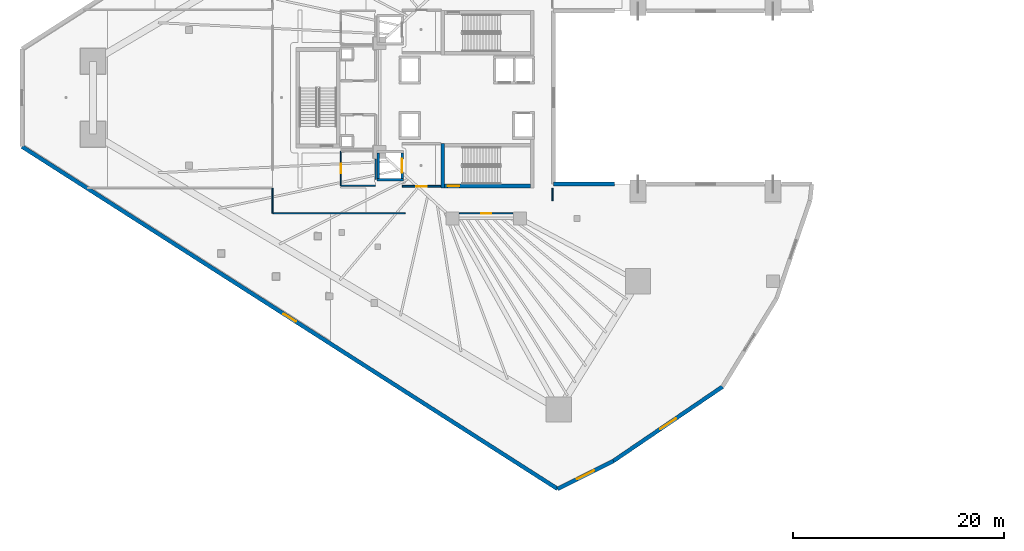
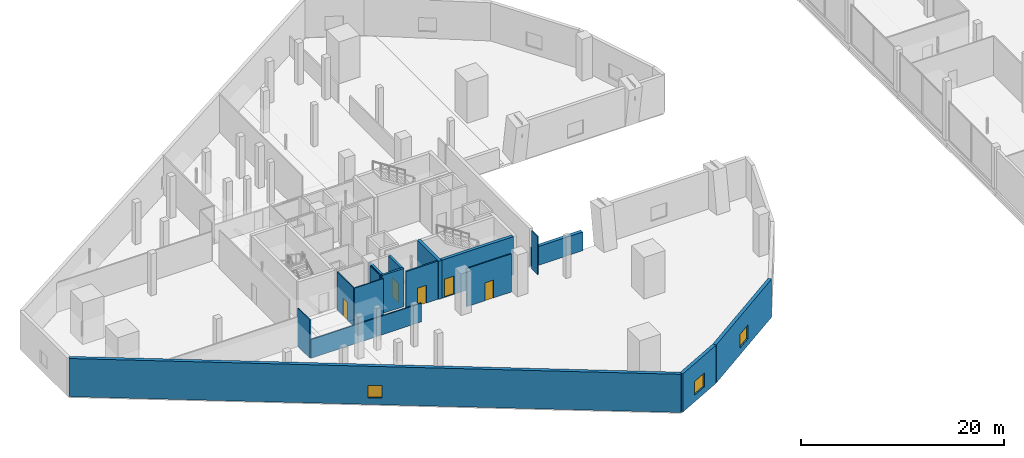
# One storey, part 28 of 43: 17 walls, 5 doors, 3 windows, 8 openings.
"""IFC4 building model written with IfcOpenShell, lengths in metres."""

from ifc_helpers import new_model, si_unit, direction, frame, frame_2d, origin, place, context, subcontext, project, spatial, rectangle, extrude, material, layer, layer_set, type_object, element, fill, save


model = new_model("IFC4")

# Units and contexts
model_context = context("Model", 3, precision=1e-05, world=origin(), true_north=direction((0.0, 1.0)))
body_context = subcontext(model_context, "Body", "Model", "MODEL_VIEW")
ifc_project = project(units=[si_unit("LENGTHUNIT", "METRE"), si_unit("AREAUNIT", "SQUARE_METRE"), si_unit("VOLUMEUNIT", "CUBIC_METRE"), si_unit("PLANEANGLEUNIT", "RADIAN"), si_unit("MASSUNIT", "GRAM", prefix="KILO")], contexts=[model_context])

# Site, building, storey
site_placement = place(None, origin())
site = spatial("IfcSite", under=ifc_project, at=site_placement, CompositionType="ELEMENT")
building_placement = place(site_placement, origin())
building = spatial("IfcBuilding", under=site, at=building_placement, Name="Qorvath Tower", CompositionType="ELEMENT")
storey_placement = place(building_placement, frame((0.0, 0.0, 22.0)))
storey = spatial("IfcBuildingStorey", under=building, at=storey_placement, Name="L04", CompositionType="ELEMENT", Elevation=22.0)

# Wall, opening, door
ifc_material_1 = material(Name="Gypsum shaftliner on steel studs", Category="steel")
ifc_layer_1 = layer(ifc_material_1, 0.179931640625)
ifc_layer_set_1 = layer_set([ifc_layer_1], Name="FW-LOBBY")
wall_type_1 = type_object("IfcWallType", Name="FW-LOBBY", PredefinedType="PARTITIONING", material=ifc_layer_set_1)
wall_1_placement = place(storey_placement, frame((-28.35498046875, -8.39990234375, 0.0), z_axis=(0.0, 0.0, 1.0), x_axis=(1.0, 0.0, 0.0)))
wall_1 = element("IfcWall", 1, at=wall_1_placement, inside=storey, type_object=wall_type_1, Name="Interior Partition IW-T1-L04-003", PredefinedType="PARTITIONING", context=body_context, shape_type="SweptSolid", body=[
    extrude(rectangle(XDim=3.6220703125, YDim=0.179931640625, at=frame_2d((1.81103515625, 0.0))), origin(), (0.0, 0.0, 1.0), 4.580078125),
])
opening_1_placement = place(wall_1_placement, frame((1.31103515625, 0.0, 0.0)))
opening_1 = element("IfcOpeningElement", 2, at=opening_1_placement, cuts=wall_1, Name="Opening D-T1-L04-10", PredefinedType="OPENING", context=body_context, shape_type="SweptSolid", body=[
    extrude(rectangle(XDim=1.0, YDim=2.14990234375, at=frame_2d((0.5, 1.074951171875))), frame((0.0, 0.10009765625, 0.0), z_axis=(0.0, -1.0, 0.0), x_axis=(1.0, 0.0, 0.0)), (0.0, 0.0, 1.0), 0.199951171875),
])
ifc_material_2 = material(Name="Painted galvanised hollow metal", Category="steel")
door_type_1 = type_object("IfcDoorType", Name="FD-60", OperationType="NOTDEFINED", PredefinedType="DOOR", material=ifc_material_2)
door_1_placement = place(opening_1_placement, origin())
door_1 = element("IfcDoor", 3, at=door_1_placement, inside=storey, type_object=door_type_1, Name="Lobby Fire Service Elevator South Door D-T1-L04-10", OperationType="SINGLE_SWING_RIGHT", OverallHeight=2.14990234375, OverallWidth=1.0, PredefinedType="DOOR", context=body_context, shape_type="SweptSolid", body=[
    extrude(rectangle(XDim=1.0, YDim=2.14990234375, at=frame_2d((0.5, 1.074951171875))), frame((0.0, 0.02490234375, 0.0), z_axis=(0.0, -1.0, 0.0), x_axis=(1.0, 0.0, 0.0)), (0.0, 0.0, 1.0), 0.050048828125),
])
fill(opening_1, door_1)

# Wall
ifc_material_3 = material(Name="Gypsum board on metal studs with mineral wool", Category="gypsum")
ifc_layer_2 = layer(ifc_material_3, 0.125)
ifc_layer_set_2 = layer_set([ifc_layer_2], Name="IW-PART-125")
wall_type_2 = type_object("IfcWallType", Name="IW-PART-125", PredefinedType="PARTITIONING", material=ifc_layer_set_2)
wall_2_placement = place(storey_placement, frame((-14.112060546875, -9.7705078125, 0.0), z_axis=(0.0, 0.0, 1.0), x_axis=(0.0, 1.0, 0.0)))
element("IfcWall", 4, at=wall_2_placement, inside=storey, type_object=wall_type_2, Name="Interior Partition IW-T1-L04-029", PredefinedType="PARTITIONING", context=body_context, shape_type="SweptSolid", body=[
    extrude(rectangle(XDim=1.195556640625, YDim=0.125, at=frame_2d((0.59765625, 0.0))), origin(), (0.0, 0.0, 1.0), 4.580078125),
])

# Wall, opening, door
wall_3_placement = place(storey_placement, frame((-17.864990234375, -10.9580078125, 0.0), z_axis=(0.0, 0.0, 1.0), x_axis=(-1.0, 0.0, 0.0)))
wall_3 = element("IfcWall", 5, at=wall_3_placement, inside=storey, type_object=wall_type_2, Name="Interior Partition IW-T1-L04-030", PredefinedType="PARTITIONING", context=body_context, shape_type="SweptSolid", body=[
    extrude(rectangle(XDim=5.070068359375, YDim=0.125, at=frame_2d((2.53515625, 0.0))), origin(), (0.0, 0.0, 1.0), 4.580078125),
])
opening_2_placement = place(wall_3_placement, frame((2.06005859375, 0.0, 0.0)))
opening_2 = element("IfcOpeningElement", 6, at=opening_2_placement, cuts=wall_3, Name="Opening D-T1-L04-08", PredefinedType="OPENING", context=body_context, shape_type="SweptSolid", body=[
    extrude(rectangle(XDim=0.949951171875, YDim=2.14990234375, at=frame_2d((0.47509765625, 1.074951171875))), frame((0.0, 0.072509765625, 0.0), z_axis=(0.0, -1.0, 0.0), x_axis=(1.0, 0.0, 0.0)), (0.0, 0.0, 1.0), 0.14501953125),
])
ifc_material_4 = material(Name="Solid-core American white oak veneer", Category="wood")
door_type_2 = type_object("IfcDoorType", Name="D-01", OperationType="NOTDEFINED", PredefinedType="DOOR", material=ifc_material_4)
door_2_placement = place(opening_2_placement, origin())
door_2 = element("IfcDoor", 7, at=door_2_placement, inside=storey, type_object=door_type_2, Name="L04-05 Design Pin-Up Atelier Door D-T1-L04-08", OperationType="SINGLE_SWING_RIGHT", OverallHeight=2.14990234375, OverallWidth=0.949951171875, PredefinedType="DOOR", context=body_context, shape_type="SweptSolid", body=[
    extrude(rectangle(XDim=0.949951171875, YDim=2.14990234375, at=frame_2d((0.47509765625, 1.074951171875))), frame((0.0, 0.02490234375, 0.0), z_axis=(0.0, -1.0, 0.0), x_axis=(1.0, 0.0, 0.0)), (0.0, 0.0, 1.0), 0.050048828125),
])
fill(opening_2, door_2)

# Walls
wall_4_placement = place(storey_placement, frame((-28.087158203125, -10.9580078125, 0.0), z_axis=(0.0, 0.0, 1.0), x_axis=(-1.0, 0.0, 0.0)))
element("IfcWall", 8, at=wall_4_placement, inside=storey, type_object=wall_type_2, Name="Interior Partition IW-T1-L04-031", PredefinedType="PARTITIONING", context=body_context, shape_type="SweptSolid", body=[
    extrude(rectangle(XDim=12.5458984375, YDim=0.125, at=frame_2d((6.27294921875, 0.0))), origin(), (0.0, 0.0, 1.0), 2.25),
])
wall_5_placement = place(storey_placement, frame((-40.657958984375, -8.574951171875, 0.0), z_axis=(0.0, 0.0, 1.0), x_axis=(0.0, -1.0, 0.0)))
element("IfcWall", 9, at=wall_5_placement, inside=storey, type_object=wall_type_2, Name="Interior Partition IW-T1-L04-032", PredefinedType="PARTITIONING", context=body_context, shape_type="SweptSolid", body=[
    extrude(rectangle(XDim=2.358154296875, YDim=0.125, at=frame_2d((1.17919921875, 0.0))), origin(), (0.0, 0.0, 1.0), 4.580078125),
])
ifc_material_5 = material(Name="Moisture-resistant cement board on metal studs", Category="gypsum")
ifc_layer_3 = layer(ifc_material_5, 0.110107421875)
ifc_layer_set_3 = layer_set([ifc_layer_3], Name="IW-WC-110")
wall_type_3 = type_object("IfcWallType", Name="IW-WC-110", PredefinedType="PARTITIONING", material=ifc_layer_set_3)
wall_6_placement = place(storey_placement, frame((-34.15478515625, -8.35009765625, 0.0), z_axis=(0.0, 0.0, 1.0), x_axis=(1.0, 0.0, 0.0)))
element("IfcWall", 10, at=wall_6_placement, inside=storey, type_object=wall_type_3, Name="Interior Partition IW-T1-L04-009", PredefinedType="PARTITIONING", context=body_context, shape_type="SweptSolid", body=[
    extrude(rectangle(XDim=3.25, YDim=0.110107421875, at=frame_2d((1.625, 0.0))), origin(), (0.0, 0.0, 1.0), 4.580078125),
])
wall_7_placement = place(storey_placement, frame((-30.8798828125, -7.742919921875, 0.0), z_axis=(0.0, 0.0, 1.0), x_axis=(0.0, 1.0, 0.0)))
element("IfcWall", 11, at=wall_7_placement, inside=storey, type_object=wall_type_3, Name="Interior Partition IW-T1-L04-010", PredefinedType="PARTITIONING", context=body_context, shape_type="SweptSolid", body=[
    extrude(rectangle(XDim=1.927978515625, YDim=0.110107421875, at=frame_2d((0.9638671875, 0.0))), origin(), (0.0, 0.0, 1.0), 4.580078125),
])

# Wall, opening, door
wall_8_placement = place(storey_placement, frame((-34.179931640625, -5.074951171875, 0.0), z_axis=(0.0, 0.0, 1.0), x_axis=(0.0, -1.0, 0.0)))
wall_8 = element("IfcWall", 12, at=wall_8_placement, inside=storey, type_object=wall_type_3, Name="Interior Partition IW-T1-L04-012", PredefinedType="PARTITIONING", context=body_context, shape_type="SweptSolid", body=[
    extrude(rectangle(XDim=3.250244140625, YDim=0.110107421875, at=frame_2d((1.625, 0.0))), origin(), (0.0, 0.0, 1.0), 4.580078125),
])
opening_3_placement = place(wall_8_placement, frame((1.18505859375, 0.0, 0.0)))
opening_3 = element("IfcOpeningElement", 13, at=opening_3_placement, cuts=wall_8, Name="Opening D-T1-L04-02", PredefinedType="OPENING", context=body_context, shape_type="SweptSolid", body=[
    extrude(rectangle(XDim=0.8798828125, YDim=2.10009765625, at=frame_2d((0.43994140625, 1.050048828125))), frame((0.0, 0.06494140625, 0.0), z_axis=(0.0, -1.0, 0.0), x_axis=(1.0, 0.0, 0.0)), (0.0, 0.0, 1.0), 0.130126953125),
])
ifc_material_6 = material(Name="Solid-core oak with acoustic drop seal", Category="wood")
door_type_3 = type_object("IfcDoorType", Name="D-02", OperationType="NOTDEFINED", PredefinedType="DOOR", material=ifc_material_6)
door_3_placement = place(opening_3_placement, origin())
door_3 = element("IfcDoor", 14, at=door_3_placement, inside=storey, type_object=door_type_3, Name="Accessible WC South L04 Door D-T1-L04-02", OperationType="SINGLE_SWING_RIGHT", OverallHeight=2.10009765625, OverallWidth=0.8798828125, PredefinedType="DOOR", context=body_context, shape_type="SweptSolid", body=[
    extrude(rectangle(XDim=0.8798828125, YDim=2.10009765625, at=frame_2d((0.43994140625, 1.050048828125))), frame((0.0, 0.02490234375, 0.0), z_axis=(0.0, -1.0, 0.0), x_axis=(1.0, 0.0, 0.0)), (0.0, 0.0, 1.0), 0.050048828125),
])
fill(opening_3, door_3)

# Walls
ifc_material_7 = material(Name="Concrete C60/75", Category="concrete")
ifc_layer_4 = layer(ifc_material_7, 0.260009765625)
ifc_layer_set_4 = layer_set([ifc_layer_4], Name="SW-SHAFT")
wall_type_4 = type_object("IfcWallType", Name="SW-SHAFT", PredefinedType="SHEAR", material=ifc_layer_set_4)
wall_9_placement = place(storey_placement, frame((-28.260009765625, -7.77001953125, 0.0), z_axis=(0.0, 0.0, 1.0), x_axis=(-1.0, 0.0, 0.0)))
element("IfcWall", 15, at=wall_9_placement, inside=storey, type_object=wall_type_4, Name="Hoistway Wall FSAE-2 L04 S", PredefinedType="SHEAR", context=body_context, shape_type="SweptSolid", body=[
    extrude(rectangle(XDim=2.47998046875, YDim=0.239990234375, at=frame_2d((1.239990234375, 0.0))), origin(), (0.0, 0.0, 1.0), 4.580078125),
])
wall_10_placement = place(storey_placement, frame((-30.6201171875, -7.637939453125, 0.0), z_axis=(0.0, 0.0, 1.0), x_axis=(0.0, 1.0, 0.0)))
element("IfcWall", 16, at=wall_10_placement, inside=storey, type_object=wall_type_4, Name="Hoistway Wall FSAE-2 L04 W", PredefinedType="SHEAR", context=body_context, shape_type="SweptSolid", body=[
    extrude(rectangle(XDim=2.3759765625, YDim=0.239990234375, at=frame_2d((1.18798828125, 0.0))), origin(), (0.0, 0.0, 1.0), 4.580078125),
])

# Wall, opening, door
wall_11_placement = place(storey_placement, frame((-28.3798828125, -5.261962890625, 0.0), z_axis=(0.0, 0.0, 1.0), x_axis=(0.0, -1.0, 0.0)))
wall_11 = element("IfcWall", 17, at=wall_11_placement, inside=storey, type_object=wall_type_4, Name="Hoistway Wall FSAE-2 L04 E", PredefinedType="SHEAR", context=body_context, shape_type="SweptSolid", body=[
    extrude(rectangle(XDim=2.3759765625, YDim=0.239990234375, at=frame_2d((1.18798828125, 0.0))), origin(), (0.0, 0.0, 1.0), 4.580078125),
])
opening_4_placement = place(wall_11_placement, frame((0.5380859375, 0.0, 0.0)))
opening_4 = element("IfcOpeningElement", 18, at=opening_4_placement, cuts=wall_11, Name="Opening LD-FSAE-2-L04", PredefinedType="OPENING", context=body_context, shape_type="SweptSolid", body=[
    extrude(rectangle(XDim=1.300048828125, YDim=2.300048828125, at=frame_2d((0.64990234375, 1.14990234375))), frame((0.0, 0.1298828125, 0.0), z_axis=(0.0, -1.0, 0.0), x_axis=(1.0, 0.0, 0.0)), (0.0, 0.0, 1.0), 0.260009765625),
])
ifc_material_8 = material(Name="Brushed stainless steel AISI 316", Category="steel")
door_type_4 = type_object("IfcDoorType", Name="LD-02", OperationType="NOTDEFINED", PredefinedType="DOOR", material=ifc_material_8)
door_4_placement = place(opening_4_placement, origin())
door_4 = element("IfcDoor", 19, at=door_4_placement, inside=storey, type_object=door_type_4, Name="Elevator Landing Sliding Door LD-FSAE-2-L04", OperationType="DOUBLE_DOOR_SLIDING", OverallHeight=2.300048828125, OverallWidth=1.300048828125, PredefinedType="DOOR", context=body_context, shape_type="SweptSolid", body=[
    extrude(rectangle(XDim=1.300048828125, YDim=2.300048828125, at=frame_2d((0.64990234375, 1.14990234375))), frame((0.0, 0.02490234375, 0.0), z_axis=(0.0, -1.0, 0.0), x_axis=(1.0, 0.0, 0.0)), (0.0, 0.0, 1.0), 0.050048828125),
])
fill(opening_4, door_4)

# Wall
ifc_material_9 = material(Name="Concrete C60/75", Category="concrete")
ifc_layer_5 = layer(ifc_material_9, 0.35009765625)
ifc_layer_set_5 = layer_set([ifc_layer_5], Name="SW-STAIR")
wall_type_5 = type_object("IfcWallType", Name="SW-STAIR", PredefinedType="SHEAR", material=ifc_layer_set_5)
wall_12_placement = place(storey_placement, frame((-24.52490234375, -4.340087890625, 0.0), z_axis=(0.0, 0.0, 1.0), x_axis=(0.0, -1.0, 0.0)))
element("IfcWall", 20, at=wall_12_placement, inside=storey, type_object=wall_type_5, Name="Stair TS2 Shear Wall L04 NEAR", PredefinedType="SHEAR", context=body_context, shape_type="SweptSolid", body=[
    extrude(rectangle(XDim=4.2099609375, YDim=0.35009765625, at=frame_2d((2.10498046875, 0.0))), origin(), (0.0, 0.0, 1.0), 4.580078125),
])

# Wall, opening, door
wall_13_placement = place(storey_placement, frame((-24.3349609375, -8.375, 0.0), z_axis=(0.0, 0.0, 1.0), x_axis=(1.0, 0.0, 0.0)))
wall_13 = element("IfcWall", 21, at=wall_13_placement, inside=storey, type_object=wall_type_5, Name="Stair TS2 Shear Wall L04 LEFT", PredefinedType="SHEAR", context=body_context, shape_type="SweptSolid", body=[
    extrude(rectangle(XDim=8.119873046875, YDim=0.35009765625, at=frame_2d((4.06005859375, 0.0))), origin(), (0.0, 0.0, 1.0), 4.580078125),
])
opening_5_placement = place(wall_13_placement, frame((0.280029296875, 0.0, 0.0)))
opening_5 = element("IfcOpeningElement", 22, at=opening_5_placement, cuts=wall_13, Name="Opening D-TS2-L04", PredefinedType="OPENING", context=body_context, shape_type="SweptSolid", body=[
    extrude(rectangle(XDim=1.10009765625, YDim=2.199951171875, at=frame_2d((0.550048828125, 1.10009765625))), frame((0.0, 0.18505859375, 0.0), z_axis=(0.0, -1.0, 0.0), x_axis=(1.0, 0.0, 0.0)), (0.0, 0.0, 1.0), 0.3701171875),
])
ifc_material_10 = material(Name="Painted galvanised hollow metal", Category="steel")
door_type_5 = type_object("IfcDoorType", Name="FD-90", OperationType="NOTDEFINED", PredefinedType="DOOR", material=ifc_material_10)
door_5_placement = place(opening_5_placement, origin())
door_5 = element("IfcDoor", 23, at=door_5_placement, inside=storey, type_object=door_type_5, Name="Stair TS2 Fire Door L04", OperationType="SINGLE_SWING_LEFT", OverallHeight=2.199951171875, OverallWidth=1.10009765625, PredefinedType="DOOR", context=body_context, shape_type="SweptSolid", body=[
    extrude(rectangle(XDim=1.10009765625, YDim=2.199951171875, at=frame_2d((0.550048828125, 1.10009765625))), frame((0.0, 0.02490234375, 0.0), z_axis=(0.0, -1.0, 0.0), x_axis=(1.0, 0.0, 0.0)), (0.0, 0.0, 1.0), 0.050048828125),
])
fill(opening_5, door_5)

# Wall
ifc_material_11 = material(Name="Precast concrete C50/60", Category="concrete")
ifc_layer_6 = layer(ifc_material_11, 0.3798828125)
ifc_layer_set_6 = layer_set([ifc_layer_6], Name="WL-EW-POD-380")
wall_type_6 = type_object("IfcWallType", Name="WL-EW-POD-380", PredefinedType="SOLIDWALL", material=ifc_layer_set_6)
wall_14_placement = place(storey_placement, frame((-8.237060546875, -8.199951171875, 0.0), z_axis=(0.0, 0.0, 1.0), x_axis=(-1.0, 0.0, 0.0)))
element("IfcWall", 24, at=wall_14_placement, inside=storey, type_object=wall_type_6, Name="Tower Podium Precast Facade Wall L04-1.3", PredefinedType="SOLIDWALL", context=body_context, shape_type="SweptSolid", body=[
    extrude(rectangle(XDim=5.762939453125, YDim=0.3798828125, at=frame_2d((2.88134765625, 0.0))), origin(), (0.0, 0.0, 1.0), 2.25),
])

# Wall, opening, window
wall_15_placement = place(storey_placement, frame((-13.63525390625, -37.094482421875, 0.0), z_axis=(0.0, 0.0, 1.0), x_axis=(-0.842602364841, 0.538536214905, 0.0)))
wall_15 = element("IfcWall", 25, at=wall_15_placement, inside=storey, type_object=wall_type_6, Name="Tower Podium Precast Facade Wall L04-11.1", PredefinedType="SOLIDWALL", context=body_context, shape_type="SweptSolid", body=[
    extrude(rectangle(XDim=60.270263671875, YDim=0.3798828125, at=frame_2d((30.13525390625, 0.0))), origin(), (0.0, 0.0, 1.0), 4.580078125),
])
opening_6_placement = place(wall_15_placement, frame((29.43505859375, 0.0, 0.800048828125)))
opening_6 = element("IfcOpeningElement", 26, at=opening_6_placement, cuts=wall_15, Name="Opening WN-L04-052", PredefinedType="OPENING", context=body_context, shape_type="SweptSolid", body=[
    extrude(rectangle(XDim=1.39990234375, YDim=1.5, at=frame_2d((0.699951171875, 0.75))), frame((0.0, 0.199951171875, 0.0), z_axis=(0.0, -1.0, 0.0), x_axis=(1.0, 0.0, 0.0)), (0.0, 0.0, 1.0), 0.39990234375),
])
ifc_material_12 = material(Name="Thermally broken aluminium and triple low-E glass", Category="aluminium")
window_type_1 = type_object("IfcWindowType", Name="WN-3", PartitioningType="SINGLE_PANEL", PredefinedType="WINDOW", material=ifc_material_12)
window_1_placement = place(opening_6_placement, origin())
window_1 = element("IfcWindow", 27, at=window_1_placement, inside=storey, type_object=window_type_1, Name="Podium Punched Window L04-052", OverallHeight=1.5, OverallWidth=1.39990234375, PartitioningType="SINGLE_PANEL", PredefinedType="WINDOW", context=body_context, shape_type="SweptSolid", body=[
    extrude(rectangle(XDim=1.39990234375, YDim=1.5, at=frame_2d((0.699951171875, 0.75))), frame((0.0, 0.030029296875, 0.0), z_axis=(0.0, -1.0, 0.0), x_axis=(1.0, 0.0, 0.0)), (0.0, 0.0, 1.0), 0.06005859375),
])
fill(opening_6, window_1)

wall_16_placement = place(storey_placement, frame((-8.3359375, -34.44482421875, 0.0), z_axis=(0.0, 0.0, 1.0), x_axis=(-0.894427191, -0.4472135955, 0.0)))
wall_16 = element("IfcWall", 28, at=wall_16_placement, inside=storey, type_object=wall_type_6, Name="Tower Podium Precast Facade Wall L04-12.1", PredefinedType="SOLIDWALL", context=body_context, shape_type="SweptSolid", body=[
    extrude(rectangle(XDim=5.9248046875, YDim=0.3798828125, at=frame_2d((2.96240234375, 0.0))), origin(), (0.0, 0.0, 1.0), 4.580078125),
])
opening_7_placement = place(wall_16_placement, frame((2.0625, 0.0, 0.800048828125)))
opening_7 = element("IfcOpeningElement", 29, at=opening_7_placement, cuts=wall_16, Name="Opening WN-L04-053", PredefinedType="OPENING", context=body_context, shape_type="SweptSolid", body=[
    extrude(rectangle(XDim=1.800048828125, YDim=1.64990234375, at=frame_2d((0.89990234375, 0.824951171875))), frame((0.0, 0.199951171875, 0.0), z_axis=(0.0, -1.0, 0.0), x_axis=(1.0, 0.0, 0.0)), (0.0, 0.0, 1.0), 0.39990234375),
])
ifc_material_13 = material(Name="Thermally broken aluminium and triple low-E glass", Category="aluminium")
window_type_2 = type_object("IfcWindowType", Name="WN-1", PartitioningType="SINGLE_PANEL", PredefinedType="WINDOW", material=ifc_material_13)
window_2_placement = place(opening_7_placement, origin())
window_2 = element("IfcWindow", 30, at=window_2_placement, inside=storey, type_object=window_type_2, Name="Podium Punched Window L04-053", OverallHeight=1.64990234375, OverallWidth=1.800048828125, PartitioningType="SINGLE_PANEL", PredefinedType="WINDOW", context=body_context, shape_type="SweptSolid", body=[
    extrude(rectangle(XDim=1.800048828125, YDim=1.64990234375, at=frame_2d((0.89990234375, 0.824951171875))), frame((0.0, 0.030029296875, 0.0), z_axis=(0.0, -1.0, 0.0), x_axis=(1.0, 0.0, 0.0)), (0.0, 0.0, 1.0), 0.06005859375),
])
fill(opening_7, window_2)

wall_17_placement = place(storey_placement, frame((2.0205078125, -27.39501953125, 0.0), z_axis=(0.0, 0.0, 1.0), x_axis=(-0.826650936963, -0.562715050819, 0.0)))
wall_17 = element("IfcWall", 31, at=wall_17_placement, inside=storey, type_object=wall_type_6, Name="Tower Podium Precast Facade Wall L04-13.1", PredefinedType="SOLIDWALL", context=body_context, shape_type="SweptSolid", body=[
    extrude(rectangle(XDim=12.528076171875, YDim=0.3798828125, at=frame_2d((6.26416015625, 0.0))), origin(), (0.0, 0.0, 1.0), 4.580078125),
])
opening_8_placement = place(wall_17_placement, frame((5.364013671875, 0.0, 0.800048828125)))
opening_8 = element("IfcOpeningElement", 32, at=opening_8_placement, cuts=wall_17, Name="Opening WN-L04-054", PredefinedType="OPENING", context=body_context, shape_type="SweptSolid", body=[
    extrude(rectangle(XDim=1.800048828125, YDim=1.64990234375, at=frame_2d((0.89990234375, 0.824951171875))), frame((0.0, 0.199951171875, 0.0), z_axis=(0.0, -1.0, 0.0), x_axis=(1.0, 0.0, 0.0)), (0.0, 0.0, 1.0), 0.39990234375),
])
window_3_placement = place(opening_8_placement, origin())
window_3 = element("IfcWindow", 33, at=window_3_placement, inside=storey, type_object=window_type_2, Name="Podium Punched Window L04-054", OverallHeight=1.64990234375, OverallWidth=1.800048828125, PartitioningType="SINGLE_PANEL", PredefinedType="WINDOW", context=body_context, shape_type="SweptSolid", body=[
    extrude(rectangle(XDim=1.800048828125, YDim=1.64990234375, at=frame_2d((0.89990234375, 0.824951171875))), frame((0.0, 0.030029296875, 0.0), z_axis=(0.0, -1.0, 0.0), x_axis=(1.0, 0.0, 0.0)), (0.0, 0.0, 1.0), 0.06005859375),
])
fill(opening_8, window_3)

save(model, "model.ifc")
